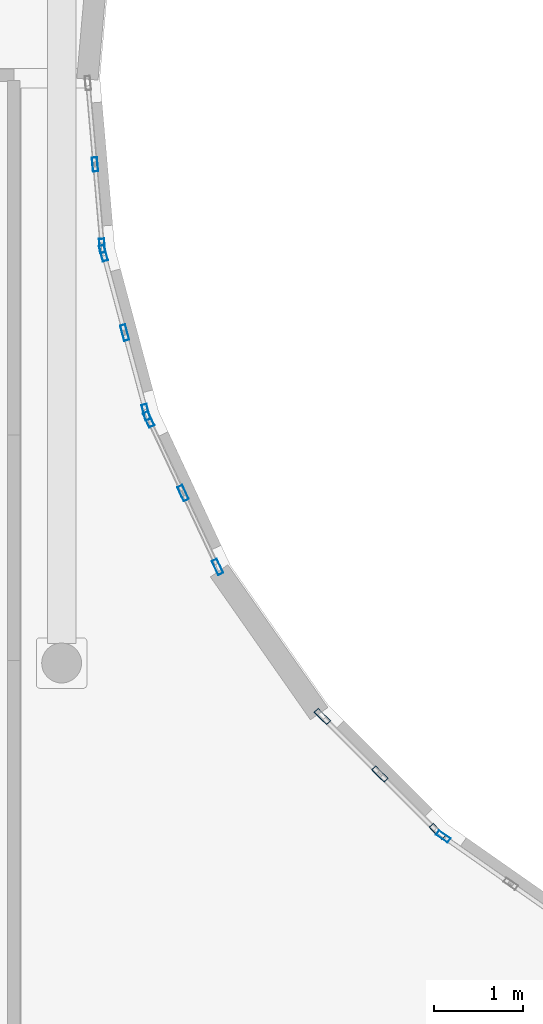
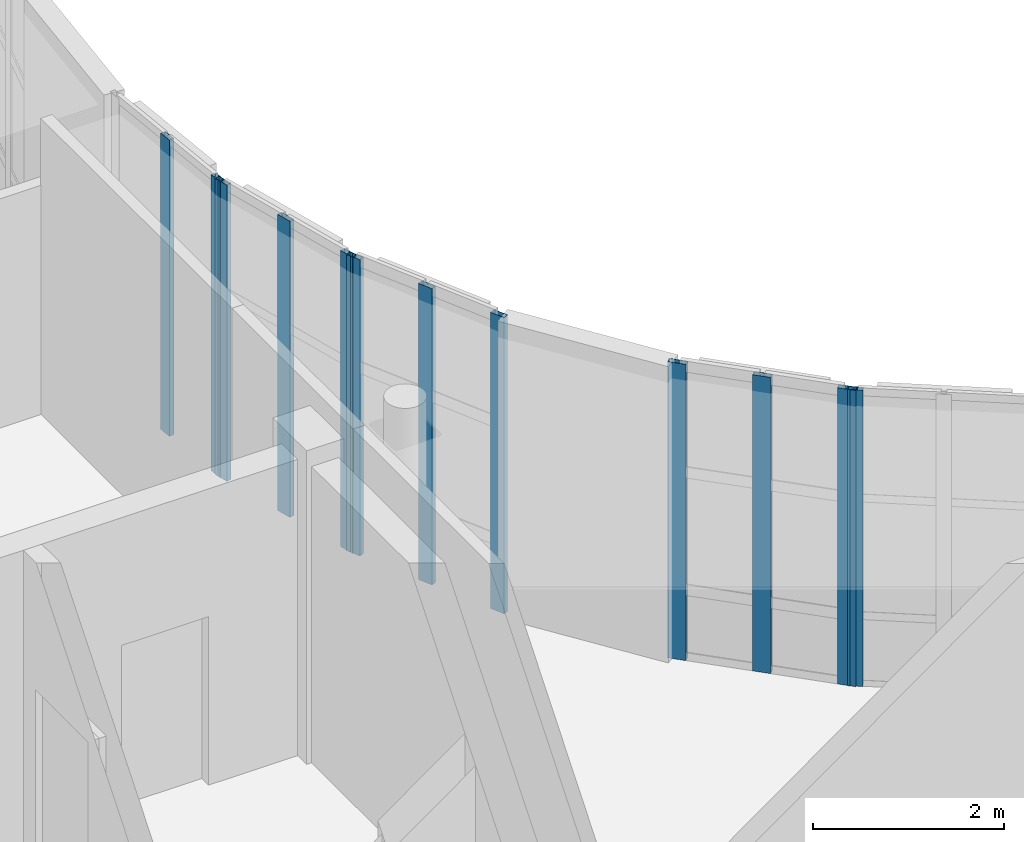
# One storey, part 23 of 105: 12 members, 5 elements without a shape of their own.
"""IFC4 building model written with IfcOpenShell, lengths in metres."""

from ifc_helpers import new_model, si_unit, direction, frame, origin, origin_2d, place, context, subcontext, project, spatial, hollow_rectangle, extrude, material, layer, layer_set, material_profile, profile_set, type_object, element, aggregate, save


model = new_model("IFC4")

# Units and contexts
model_context = context("Model", 3, precision=1e-05, world=origin(), true_north=direction((0.0, 1.0)))
body_context = subcontext(model_context, "Body", "Model", "MODEL_VIEW")
ifc_project = project(units=[si_unit("LENGTHUNIT", "METRE"), si_unit("AREAUNIT", "SQUARE_METRE"), si_unit("VOLUMEUNIT", "CUBIC_METRE"), si_unit("PLANEANGLEUNIT", "RADIAN"), si_unit("MASSUNIT", "GRAM", prefix="KILO")], contexts=[model_context])

# Site, building, storey
site_placement = place(None, origin())
site = spatial("IfcSite", under=ifc_project, at=site_placement, CompositionType="ELEMENT")
building_placement = place(site_placement, origin())
building = spatial("IfcBuilding", under=site, at=building_placement, Name="Kelanivale Promenade Academy", CompositionType="ELEMENT")
storey_placement = place(building_placement, frame((0.0, 0.0, 4.199951171875)))
storey = spatial("IfcBuildingStorey", under=building, at=storey_placement, Name="L01", CompositionType="ELEMENT", Elevation=4.199951171875)

# Curtain wall, members
ifc_material_1 = material(Name="Bronze anodised aluminium and solar-control low-E glass", Category="aluminium")
ifc_layer_1 = layer(ifc_material_1, 0.179931640625)
ifc_layer_set_1 = layer_set([ifc_layer_1], Name="Bronze anodised aluminium and solar-control low-E glass")
curtain_wall_type_1 = type_object("IfcCurtainWallType", Name="CW-17 Curtain Wall 1950mm Module", PredefinedType="USERDEFINED", material=ifc_layer_set_1)
curtain_wall_1_placement = place(storey_placement, origin())
curtain_wall_1 = element("IfcCurtainWall", 1, at=curtain_wall_1_placement, inside=storey, type_object=curtain_wall_type_1, Name="L01 courtyard curtain wall CW-17", ObjectType="COURTYARD SCREEN GLAZING", PredefinedType="USERDEFINED")
ifc_material_2 = material(Name="Bronze anodised aluminium EN AW-6063 T6", Category="aluminium")
ifc_material_profile_1 = material_profile(ifc_material_2, hollow_rectangle(XDim=0.06005859375, YDim=0.159912109375, WallThickness=0.00390625, at=origin_2d()), Name="ALU 60x160x4.0")
ifc_profile_set_1 = profile_set([ifc_material_profile_1], Name="Bronze anodised aluminium EN AW-6063 T6")
member_type_1 = type_object("IfcMemberType", Name="CWM-01 ALU 60x160x4.0", PredefinedType="MULLION", material=ifc_profile_set_1)
member_1_placement = place(storey_placement, frame((52.344970703125, 55.825439453125, 0.0), z_axis=(0.0, 0.0, 1.0), x_axis=(0.996185153601, 0.087264768066, 0.0)))
member_1 = element("IfcMember", 2, at=member_1_placement, type_object=member_type_1, Name="CW-17 mullion 2", PredefinedType="MULLION", context=body_context, shape_type="SweptSolid", body=[
    extrude(hollow_rectangle(XDim=0.06005859375, YDim=0.159912109375, WallThickness=0.00390625, at=origin_2d()), origin(), (0.0, 0.0, 1.0), 3.780029296875),
])
member_2_placement = place(storey_placement, frame((52.42529296875, 54.907958984375, 0.0), z_axis=(0.0, 0.0, 1.0), x_axis=(0.996185153601, 0.087264768066, 0.0)))
member_2 = element("IfcMember", 3, at=member_2_placement, type_object=member_type_1, Name="CW-17 mullion 3", PredefinedType="MULLION", context=body_context, shape_type="SweptSolid", body=[
    extrude(hollow_rectangle(XDim=0.06005859375, YDim=0.159912109375, WallThickness=0.00390625, at=origin_2d()), origin(), (0.0, 0.0, 1.0), 3.780029296875),
])
aggregate(curtain_wall_1, [member_1, member_2])

# Curtain wall, member
ifc_layer_2 = layer(ifc_material_1, 0.159912109375)
ifc_layer_set_2 = layer_set([ifc_layer_2], Name="Bronze anodised aluminium and solar-control low-E glass")
curtain_wall_type_2 = type_object("IfcCurtainWallType", Name="CW-21 Curtain Wall 1650mm Module", PredefinedType="USERDEFINED", material=ifc_layer_set_2)
curtain_wall_2_placement = place(storey_placement, origin())
curtain_wall_2 = element("IfcCurtainWall", 4, at=curtain_wall_2_placement, inside=storey, type_object=curtain_wall_type_2, Name="L01 courtyard curtain wall CW-21", ObjectType="COURTYARD SCREEN GLAZING", PredefinedType="USERDEFINED")
member_3_placement = place(storey_placement, frame((56.273681640625, 48.24169921875, 0.0), z_axis=(0.0, 0.0, 1.0), x_axis=(0.573567324515, 0.81915842439, 0.0)))
member_3 = element("IfcMember", 5, at=member_3_placement, type_object=member_type_1, Name="CW-21 mullion 1", PredefinedType="MULLION", context=body_context, shape_type="SweptSolid", body=[
    extrude(hollow_rectangle(XDim=0.06005859375, YDim=0.159912109375, WallThickness=0.00390625, at=origin_2d()), origin(), (0.0, 0.0, 1.0), 3.780029296875),
])
aggregate(curtain_wall_2, [member_3])

# Curtain wall, members
ifc_layer_3 = layer(ifc_material_1, 0.159912109375)
ifc_layer_set_3 = layer_set([ifc_layer_3], Name="Bronze anodised aluminium and solar-control low-E glass")
curtain_wall_type_3 = type_object("IfcCurtainWallType", Name="CW-18 Curtain Wall 1200mm Module", PredefinedType="USERDEFINED", material=ifc_layer_set_3)
curtain_wall_3_placement = place(storey_placement, origin())
curtain_wall_3 = element("IfcCurtainWall", 6, at=curtain_wall_3_placement, inside=storey, type_object=curtain_wall_type_3, Name="L01 courtyard curtain wall CW-18", ObjectType="COURTYARD SCREEN GLAZING", PredefinedType="USERDEFINED")
ifc_material_profile_2 = material_profile(ifc_material_2, hollow_rectangle(XDim=0.06005859375, YDim=0.179931640625, WallThickness=0.00390625, at=origin_2d()), Name="ALU 60x180x4.0")
ifc_profile_set_2 = profile_set([ifc_material_profile_2], Name="Bronze anodised aluminium EN AW-6063 T6")
member_type_2 = type_object("IfcMemberType", Name="CWM-02 ALU 60x180x4.0", PredefinedType="MULLION", material=ifc_profile_set_2)
member_4_placement = place(storey_placement, frame((52.439697265625, 54.824951171875, 0.0), z_axis=(0.0, 0.0, 1.0), x_axis=(0.96595736195, 0.258701323721, 0.0)))
member_4 = element("IfcMember", 7, at=member_4_placement, type_object=member_type_2, Name="CW-18 mullion 1", PredefinedType="MULLION", context=body_context, shape_type="SweptSolid", body=[
    extrude(hollow_rectangle(XDim=0.06005859375, YDim=0.179931640625, WallThickness=0.00390625, at=origin_2d()), origin(), (0.0, 0.0, 1.0), 3.780029296875),
])
member_5_placement = place(storey_placement, frame((52.679931640625, 53.927978515625, 0.0), z_axis=(0.0, 0.0, 1.0), x_axis=(0.96595736195, 0.258701323721, 0.0)))
member_5 = element("IfcMember", 8, at=member_5_placement, type_object=member_type_2, Name="CW-18 mullion 2", PredefinedType="MULLION", context=body_context, shape_type="SweptSolid", body=[
    extrude(hollow_rectangle(XDim=0.06005859375, YDim=0.179931640625, WallThickness=0.00390625, at=origin_2d()), origin(), (0.0, 0.0, 1.0), 3.780029296875),
])
member_6_placement = place(storey_placement, frame((52.920166015625, 53.031005859375, 0.0), z_axis=(0.0, 0.0, 1.0), x_axis=(0.96595736195, 0.258701323721, 0.0)))
member_6 = element("IfcMember", 9, at=member_6_placement, type_object=member_type_2, Name="CW-18 mullion 3", PredefinedType="MULLION", context=body_context, shape_type="SweptSolid", body=[
    extrude(hollow_rectangle(XDim=0.06005859375, YDim=0.179931640625, WallThickness=0.00390625, at=origin_2d()), origin(), (0.0, 0.0, 1.0), 3.780029296875),
])
aggregate(curtain_wall_3, [member_4, member_5, member_6])

ifc_layer_4 = layer(ifc_material_1, 0.169921875)
ifc_layer_set_4 = layer_set([ifc_layer_4], Name="Bronze anodised aluminium and solar-control low-E glass")
curtain_wall_type_4 = type_object("IfcCurtainWallType", Name="CW-19 Curtain Wall 1350mm Module", PredefinedType="USERDEFINED", material=ifc_layer_set_4)
curtain_wall_4_placement = place(storey_placement, origin())
curtain_wall_4 = element("IfcCurtainWall", 10, at=curtain_wall_4_placement, inside=storey, type_object=curtain_wall_type_4, Name="L01 courtyard curtain wall CW-19", ObjectType="COURTYARD SCREEN GLAZING", PredefinedType="USERDEFINED")
ifc_material_profile_3 = material_profile(ifc_material_2, hollow_rectangle(XDim=0.06494140625, YDim=0.175048828125, WallThickness=0.00390625, at=origin_2d()), Name="ALU 65x175x4.0")
ifc_profile_set_3 = profile_set([ifc_material_profile_3], Name="Bronze anodised aluminium EN AW-6063 T6")
member_type_3 = type_object("IfcMemberType", Name="CWM-03 ALU 65x175x4.0", PredefinedType="MULLION", material=ifc_profile_set_3)
member_7_placement = place(storey_placement, frame((52.94970703125, 52.949462890625, 0.0), z_axis=(0.0, 0.0, 1.0), x_axis=(0.906089128146, 0.423086860887, 0.0)))
member_7 = element("IfcMember", 11, at=member_7_placement, type_object=member_type_3, Name="CW-19 mullion 1", PredefinedType="MULLION", context=body_context, shape_type="SweptSolid", body=[
    extrude(hollow_rectangle(XDim=0.06494140625, YDim=0.175048828125, WallThickness=0.00390625, at=origin_2d()), origin(), (0.0, 0.0, 1.0), 3.780029296875),
])
member_8_placement = place(storey_placement, frame((53.33837890625, 52.116943359375, 0.0), z_axis=(0.0, 0.0, 1.0), x_axis=(0.906089128146, 0.423086860887, 0.0)))
member_8 = element("IfcMember", 12, at=member_8_placement, type_object=member_type_3, Name="CW-19 mullion 2", PredefinedType="MULLION", context=body_context, shape_type="SweptSolid", body=[
    extrude(hollow_rectangle(XDim=0.06494140625, YDim=0.175048828125, WallThickness=0.00390625, at=origin_2d()), origin(), (0.0, 0.0, 1.0), 3.780029296875),
])
member_9_placement = place(storey_placement, frame((53.727294921875, 51.284423828125, 0.0), z_axis=(0.0, 0.0, 1.0), x_axis=(0.906089128146, 0.423086860887, 0.0)))
member_9 = element("IfcMember", 13, at=member_9_placement, type_object=member_type_3, Name="CW-19 mullion 3", PredefinedType="MULLION", context=body_context, shape_type="SweptSolid", body=[
    extrude(hollow_rectangle(XDim=0.06494140625, YDim=0.175048828125, WallThickness=0.00390625, at=origin_2d()), origin(), (0.0, 0.0, 1.0), 3.780029296875),
])
aggregate(curtain_wall_4, [member_7, member_8, member_9])

ifc_layer_5 = layer(ifc_material_1, 0.179931640625)
ifc_layer_set_5 = layer_set([ifc_layer_5], Name="Bronze anodised aluminium and solar-control low-E glass")
curtain_wall_type_5 = type_object("IfcCurtainWallType", Name="CW-20 Curtain Wall 1500mm Module", PredefinedType="USERDEFINED", material=ifc_layer_set_5)
curtain_wall_5_placement = place(storey_placement, origin())
curtain_wall_5 = element("IfcCurtainWall", 14, at=curtain_wall_5_placement, inside=storey, type_object=curtain_wall_type_5, Name="L01 courtyard curtain wall CW-20", ObjectType="COURTYARD SCREEN GLAZING", PredefinedType="USERDEFINED")
ifc_material_profile_4 = material_profile(ifc_material_2, hollow_rectangle(XDim=0.06494140625, YDim=0.199951171875, WallThickness=0.00439453125, at=origin_2d()), Name="ALU 65x200x4.5")
ifc_profile_set_4 = profile_set([ifc_material_profile_4], Name="Bronze anodised aluminium EN AW-6063 T6")
member_type_4 = type_object("IfcMemberType", Name="CWM-04 ALU 65x200x4.5", PredefinedType="MULLION", material=ifc_profile_set_4)
member_10_placement = place(storey_placement, frame((54.908935546875, 49.595947265625, 0.0), z_axis=(0.0, 0.0, 1.0), x_axis=(0.707106781187, 0.707106781187, 0.0)))
member_10 = element("IfcMember", 15, at=member_10_placement, type_object=member_type_4, Name="CW-20 mullion 1", PredefinedType="MULLION", context=body_context, shape_type="SweptSolid", body=[
    extrude(hollow_rectangle(XDim=0.06494140625, YDim=0.199951171875, WallThickness=0.00439453125, at=origin_2d()), origin(), (0.0, 0.0, 1.0), 3.780029296875),
])
member_11_placement = place(storey_placement, frame((55.55810546875, 48.947021484375, 0.0), z_axis=(0.0, 0.0, 1.0), x_axis=(0.707106781187, 0.707106781187, 0.0)))
member_11 = element("IfcMember", 16, at=member_11_placement, type_object=member_type_4, Name="CW-20 mullion 2", PredefinedType="MULLION", context=body_context, shape_type="SweptSolid", body=[
    extrude(hollow_rectangle(XDim=0.06494140625, YDim=0.199951171875, WallThickness=0.00439453125, at=origin_2d()), origin(), (0.0, 0.0, 1.0), 3.780029296875),
])
member_12_placement = place(storey_placement, frame((56.20703125, 48.298095703125, 0.0), z_axis=(0.0, 0.0, 1.0), x_axis=(0.707106781187, 0.707106781187, 0.0)))
member_12 = element("IfcMember", 17, at=member_12_placement, type_object=member_type_4, Name="CW-20 mullion 3", PredefinedType="MULLION", context=body_context, shape_type="SweptSolid", body=[
    extrude(hollow_rectangle(XDim=0.06494140625, YDim=0.199951171875, WallThickness=0.00439453125, at=origin_2d()), origin(), (0.0, 0.0, 1.0), 3.780029296875),
])
aggregate(curtain_wall_5, [member_10, member_11, member_12])

save(model, "model.ifc")
